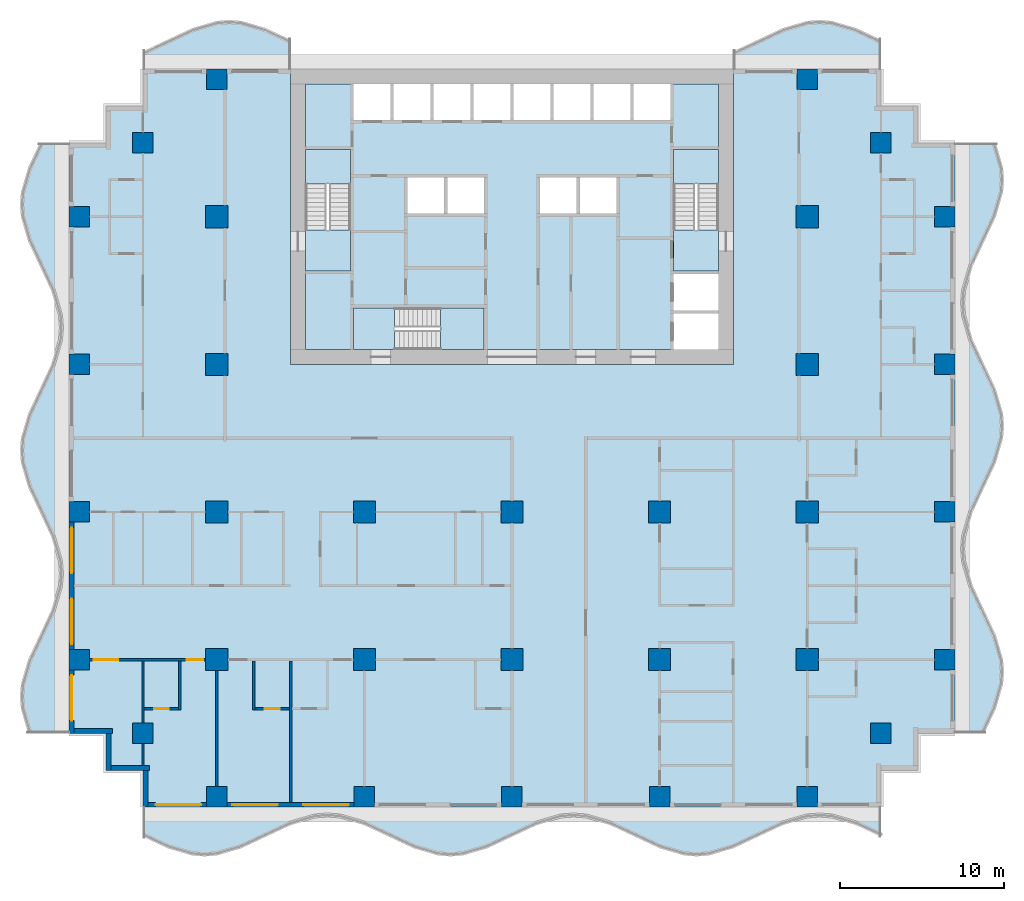
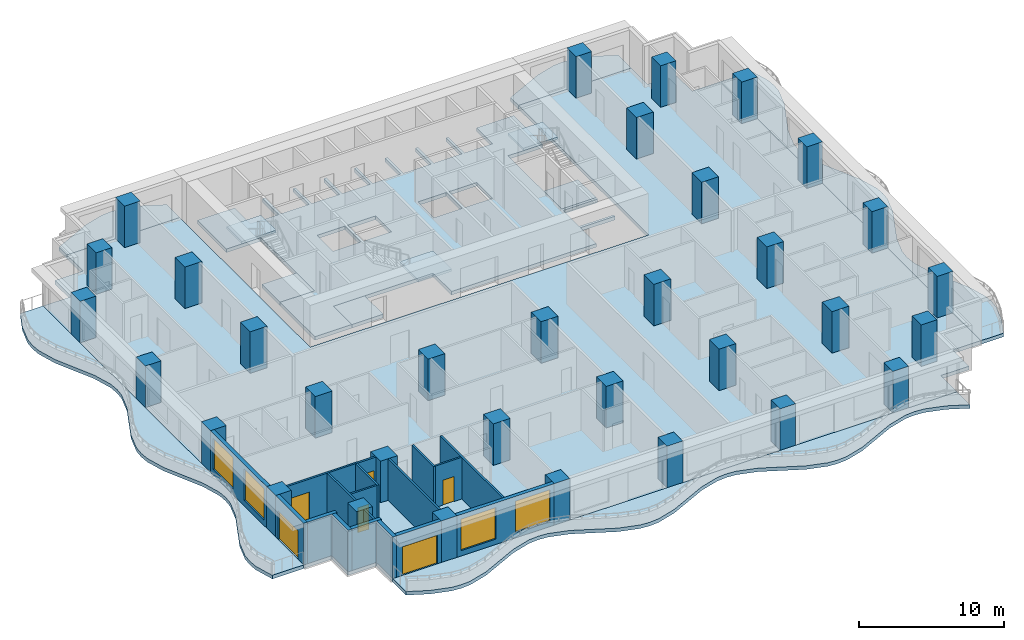
# One storey, part 1 of 14: 33 columns, 17 walls, 13 slabs, 6 doors, 4 windows, 10 openings, 3 elements without a shape of their own.
"""IFC4 building model written with IfcOpenShell, lengths in metres."""

from ifc_helpers import new_model, si_unit, direction, frame, frame_2d, origin, origin_2d, place, context, subcontext, project, spatial, polyline, rectangle, outline, extrude, material, layer, layer_set, material_profile, profile_set, type_object, element, fill, aggregate, save


model = new_model("IFC4")

# Units and contexts
model_context = context("Model", 3, precision=1e-05, world=origin(), true_north=direction((0.0, 1.0)))
body_context = subcontext(model_context, "Body", "Model", "MODEL_VIEW")
ifc_project = project(units=[si_unit("LENGTHUNIT", "METRE"), si_unit("AREAUNIT", "SQUARE_METRE"), si_unit("VOLUMEUNIT", "CUBIC_METRE"), si_unit("PLANEANGLEUNIT", "RADIAN"), si_unit("MASSUNIT", "GRAM", prefix="KILO")], contexts=[model_context])

# Site, building, storey
site_placement = place(None, origin())
site = spatial("IfcSite", under=ifc_project, at=site_placement, CompositionType="ELEMENT")
building_placement = place(site_placement, origin())
building = spatial("IfcBuilding", under=site, at=building_placement, Name="Orbiselva Terraces", CompositionType="ELEMENT")
storey_placement = place(building_placement, frame((0.0, 0.0, 107.4)))
storey = spatial("IfcBuildingStorey", under=building, at=storey_placement, Name="L27", CompositionType="ELEMENT", Elevation=107.4)

# Columns
ifc_material_1 = material(Name="Concrete C70/85", Category="concrete")
ifc_material_profile_1 = material_profile(ifc_material_1, rectangle(XDim=1.35, YDim=1.35, at=origin_2d()), Name="RC 1350x1350")
ifc_profile_set_1 = profile_set([ifc_material_profile_1], Name="Concrete C70/85")
column_type_1 = type_object("IfcColumnType", Name="COLUMN RC 1350x1350", PredefinedType="COLUMN", material=ifc_profile_set_1)
for number, where, z_axis, x_axis, name in (
    (1, (-18.0, -13.5, 0.0), (0.0, 0.0, 1.0), (1.0, 0.0, 0.0), "Column L27-01"),
    (2, (-18.0, -4.5, 0.0), (0.0, 0.0, 1.0), (1.0, 0.0, 0.0), "Column L27-03"),
    (3, (-18.0, 13.5, 0.0), (0.0, 0.0, 1.0), (1.0, 0.0, 0.0), "Column L27-04"),
    (4, (-18.0, 4.5, 0.0), (0.0, 0.0, 1.0), (1.0, 0.0, 0.0), "Column L27-06"),
    (5, (-9.0, -13.5, 0.0), (0.0, 0.0, 1.0), (1.0, 0.0, 0.0), "Column L27-13"),
    (6, (-9.0, -4.5, 0.0), (0.0, 0.0, 1.0), (1.0, 0.0, 0.0), "Column L27-15"),
    (7, (0.0, -13.5, 0.0), (0.0, 0.0, 1.0), (1.0, 0.0, 0.0), "Column L27-16"),
    (8, (0.0, -4.5, 0.0), (0.0, 0.0, 1.0), (1.0, 0.0, 0.0), "Column L27-18"),
    (9, (18.0, -13.5, 0.0), (0.0, 0.0, 1.0), (1.0, 0.0, 0.0), "Column L27-19"),
    (10, (18.0, -4.5, 0.0), (0.0, 0.0, 1.0), (1.0, 0.0, 0.0), "Column L27-21"),
    (11, (18.0, 13.5, 0.0), (0.0, 0.0, 1.0), (1.0, 0.0, 0.0), "Column L27-22"),
    (12, (18.0, 4.5, 0.0), (0.0, 0.0, 1.0), (1.0, 0.0, 0.0), "Column L27-24"),
    (13, (9.0, -13.5, 0.0), (0.0, 0.0, 1.0), (1.0, 0.0, 0.0), "Column L27-31"),
    (14, (9.0, -4.5, 0.0), (0.0, 0.0, 1.0), (1.0, 0.0, 0.0), "Column L27-33"),
):
    element("IfcColumn", number, at=place(storey_placement, frame(where, z_axis=z_axis, x_axis=x_axis)), inside=storey, type_object=column_type_1, Name=name, PredefinedType="COLUMN", context=body_context, shape_type="SweptSolid", body=[
        extrude(rectangle(XDim=1.35, YDim=1.35, at=origin_2d()), origin(), (0.0, 0.0, 1.0), 3.5),
    ])
ifc_material_2 = material(Name="Concrete C60/75", Category="concrete")
ifc_material_profile_2 = material_profile(ifc_material_2, rectangle(XDim=1.25, YDim=1.25, at=origin_2d()), Name="RC 1250x1250")
ifc_profile_set_2 = profile_set([ifc_material_profile_2], Name="Concrete C60/75")
column_type_2 = type_object("IfcColumnType", Name="PERIMETER COLUMN RC 1250x1250", PredefinedType="COLUMN", material=ifc_profile_set_2)
for number, where, z_axis, x_axis, name in (
    (15, (-18.0, -21.875, 0.0), (0.0, 0.0, 1.0), (1.0, 0.0, 0.0), "Column L27-02"),
    (16, (-18.0, 21.875, 0.0), (0.0, 0.0, 1.0), (1.0, 0.0, 0.0), "Column L27-05"),
    (17, (-26.375, -13.5, 0.0), (0.0, 0.0, 1.0), (1.0, 0.0, 0.0), "Column L27-07"),
    (18, (-22.5, -18.0, 0.0), (0.0, 0.0, 1.0), (1.0, 0.0, 0.0), "Column L27-08"),
    (19, (-26.375, -4.5, 0.0), (0.0, 0.0, 1.0), (1.0, 0.0, 0.0), "Column L27-09"),
    (20, (-26.375, 13.5, 0.0), (0.0, 0.0, 1.0), (1.0, 0.0, 0.0), "Column L27-10"),
    (21, (-22.5, 18.0, 0.0), (0.0, 0.0, 1.0), (1.0, 0.0, 0.0), "Column L27-11"),
    (22, (-26.375, 4.5, 0.0), (0.0, 0.0, 1.0), (1.0, 0.0, 0.0), "Column L27-12"),
    (23, (-9.0, -21.875, 0.0), (0.0, 0.0, 1.0), (1.0, 0.0, 0.0), "Column L27-14"),
    (24, (0.0, -21.875, 0.0), (0.0, 0.0, 1.0), (1.0, 0.0, 0.0), "Column L27-17"),
    (25, (18.0, -21.875, 0.0), (0.0, 0.0, 1.0), (1.0, 0.0, 0.0), "Column L27-20"),
    (26, (18.0, 21.875, 0.0), (0.0, 0.0, 1.0), (1.0, 0.0, 0.0), "Column L27-23"),
    (27, (26.375, -13.5, 0.0), (0.0, 0.0, 1.0), (1.0, 0.0, 0.0), "Column L27-25"),
    (28, (22.5, -18.0, 0.0), (0.0, 0.0, 1.0), (1.0, 0.0, 0.0), "Column L27-26"),
    (29, (26.375, -4.5, 0.0), (0.0, 0.0, 1.0), (1.0, 0.0, 0.0), "Column L27-27"),
    (30, (26.375, 13.5, 0.0), (0.0, 0.0, 1.0), (1.0, 0.0, 0.0), "Column L27-28"),
    (31, (22.5, 18.0, 0.0), (0.0, 0.0, 1.0), (1.0, 0.0, 0.0), "Column L27-29"),
    (32, (26.375, 4.5, 0.0), (0.0, 0.0, 1.0), (1.0, 0.0, 0.0), "Column L27-30"),
    (33, (9.0, -21.875, 0.0), (0.0, 0.0, 1.0), (1.0, 0.0, 0.0), "Column L27-32"),
):
    element("IfcColumn", number, at=place(storey_placement, frame(where, z_axis=z_axis, x_axis=x_axis)), inside=storey, type_object=column_type_2, Name=name, PredefinedType="COLUMN", context=body_context, shape_type="SweptSolid", body=[
        extrude(rectangle(XDim=1.25, YDim=1.25, at=origin_2d()), origin(), (0.0, 0.0, 1.0), 3.5),
    ])

# Slabs
ifc_material_3 = material(Name="Concrete C40/50", Category="concrete")
ifc_layer_1 = layer(ifc_material_3, 0.3)
ifc_layer_set_1 = layer_set([ifc_layer_1], Name="Concrete C40/50")
slab_type_1 = type_object("IfcSlabType", Name="CORE-SLAB-FLOOR-300", PredefinedType="FLOOR", material=ifc_layer_set_1)
slab_1_placement = place(storey_placement, frame((0.0, 0.0, -0.3)))
element("IfcSlab", 34, at=slab_1_placement, inside=storey, type_object=slab_type_1, Name="L27 S1 floor landing", PredefinedType="FLOOR", context=body_context, shape_type="SweptSolid", body=[
    extrude(outline(polyline([(-12.6, 12.7), (-9.85, 12.7), (-9.85, 10.2), (-12.6, 10.2), (-12.6, 12.7)])), origin(), (0.0, 0.0, 1.0), 0.3),
])
slab_2_placement = place(storey_placement, frame((0.0, 0.0, -0.3)))
element("IfcSlab", 35, at=slab_2_placement, inside=storey, type_object=slab_type_1, Name="L27 S2 floor landing", PredefinedType="FLOOR", context=body_context, shape_type="SweptSolid", body=[
    extrude(outline(polyline([(12.6, 12.7), (12.6, 10.2), (9.85, 10.2), (9.85, 12.7), (12.6, 12.7)])), origin(), (0.0, 0.0, 1.0), 0.3),
])
slab_3_placement = place(storey_placement, frame((0.0, 0.0, -0.3)))
element("IfcSlab", 36, at=slab_3_placement, inside=storey, type_object=slab_type_1, Name="L27 S3 floor landing", PredefinedType="FLOOR", context=body_context, shape_type="SweptSolid", body=[
    extrude(outline(polyline([(-7.15, 5.4), (-9.65, 5.4), (-9.65, 7.95), (-7.15, 7.95), (-7.15, 5.4)])), origin(), (0.0, 0.0, 1.0), 0.3),
])
slab_4_placement = place(storey_placement, frame((0.0, 0.0, -0.3)))
element("IfcSlab", 37, at=slab_4_placement, inside=storey, type_object=slab_type_1, Name="L27 core floor slab 1", PredefinedType="FLOOR", context=body_context, shape_type="SweptSolid", body=[
    extrude(outline(polyline([(-1.7, 5.4), (-1.7, 7.95), (-9.65, 7.95), (-9.65, 5.4), (-12.6, 5.4), (-12.6, 10.2), (-9.85, 10.2), (-9.85, 17.6), (-12.6, 17.6), (-12.6, 21.6), (-9.65, 21.6), (-9.65, 19.4), (-7.4125, 19.4), (-7.4125, 21.6), (-7.2125, 21.6), (-7.2125, 19.4), (-4.975, 19.4), (-4.975, 21.6), (-4.775, 21.6), (-4.775, 19.4), (-2.5375, 19.4), (-2.5375, 21.6), (-2.3375, 21.6), (-2.3375, 19.4), (-0.1, 19.4), (-0.1, 21.6), (0.1, 21.6), (0.1, 19.4), (2.3375, 19.4), (2.3375, 21.6), (2.5375, 21.6), (2.5375, 19.4), (4.775, 19.4), (4.775, 21.6), (4.975, 21.6), (4.975, 19.4), (7.2125, 19.4), (7.2125, 21.6), (7.4125, 21.6), (7.4125, 19.4), (9.65, 19.4), (9.65, 21.6), (12.6, 21.6), (12.6, 17.6), (9.85, 17.6), (9.85, 10.2), (12.6, 10.2), (12.6, 10.0), (9.85, 10.0), (9.85, 7.8), (12.6, 7.8), (12.6, 7.6), (9.85, 7.6), (9.85, 5.4), (-1.7, 5.4)]), holes=[polyline([(-4.1375, 13.7), (-4.1375, 15.9), (-6.375, 15.9), (-6.375, 13.7), (-4.1375, 13.7)]), polyline([(-1.7, 13.7), (-1.7, 15.9), (-3.9375, 15.9), (-3.9375, 13.7), (-1.7, 13.7)]), polyline([(3.9375, 13.7), (3.9375, 15.9), (1.7, 15.9), (1.7, 13.7), (3.9375, 13.7)]), polyline([(6.375, 13.7), (6.375, 15.9), (4.1375, 15.9), (4.1375, 13.7), (6.375, 13.7)])]), origin(), (0.0, 0.0, 1.0), 0.3),
])

# Stair, slab
stair_type_1 = type_object("IfcStairType", Name="CORE-STAIR-1300", PredefinedType="HALF_TURN_STAIR", material=ifc_material_3)
stair_1_placement = place(storey_placement, origin())
stair_1 = element("IfcStair", 38, at=stair_1_placement, inside=storey, type_object=stair_type_1, Name="L27 Exit Stair S1", PredefinedType="HALF_TURN_STAIR")
ifc_layer_2 = layer(ifc_material_3, 0.2)
ifc_layer_set_2 = layer_set([ifc_layer_2], Name="Concrete C40/50")
slab_type_2 = type_object("IfcSlabType", Name="CORE-STAIR-LANDING-200", PredefinedType="LANDING", material=ifc_layer_set_2)
slab_5_placement = place(storey_placement, frame((0.0, 0.0, 1.7)))
slab_5 = element("IfcSlab", 39, at=slab_5_placement, type_object=slab_type_2, Name="S1 landing 1", PredefinedType="LANDING", context=body_context, shape_type="SweptSolid", body=[
    extrude(outline(polyline([(-9.85, 15.5), (-9.85, 17.6), (-12.6, 17.6), (-12.6, 15.5), (-9.85, 15.5)])), origin(), (0.0, 0.0, 1.0), 0.2),
])
aggregate(stair_1, [slab_5])

stair_2_placement = place(storey_placement, origin())
stair_2 = element("IfcStair", 40, at=stair_2_placement, inside=storey, type_object=stair_type_1, Name="L27 Exit Stair S2", PredefinedType="HALF_TURN_STAIR")
slab_6_placement = place(storey_placement, frame((0.0, 0.0, 1.7)))
slab_6 = element("IfcSlab", 41, at=slab_6_placement, type_object=slab_type_2, Name="S2 landing 1", PredefinedType="LANDING", context=body_context, shape_type="SweptSolid", body=[
    extrude(outline(polyline([(12.6, 15.5), (12.6, 17.6), (9.85, 17.6), (9.85, 15.5), (12.6, 15.5)])), origin(), (0.0, 0.0, 1.0), 0.2),
])
aggregate(stair_2, [slab_6])

stair_type_2 = type_object("IfcStairType", Name="CORE-STAIR-1200", PredefinedType="HALF_TURN_STAIR", material=ifc_material_3)
stair_3_placement = place(storey_placement, origin())
stair_3 = element("IfcStair", 42, at=stair_3_placement, inside=storey, type_object=stair_type_2, Name="L27 Exit Stair S3", PredefinedType="HALF_TURN_STAIR")
slab_7_placement = place(storey_placement, frame((0.0, 0.0, 1.7)))
slab_7 = element("IfcSlab", 43, at=slab_7_placement, type_object=slab_type_2, Name="S3 landing 1", PredefinedType="LANDING", context=body_context, shape_type="SweptSolid", body=[
    extrude(outline(polyline([(-4.35, 5.4), (-1.7, 5.4), (-1.7, 7.95), (-4.35, 7.95), (-4.35, 5.4)])), origin(), (0.0, 0.0, 1.0), 0.2),
])
aggregate(stair_3, [slab_7])

# Slabs
ifc_material_4 = material(Name="Concrete C50/60", Category="concrete")
ifc_layer_3 = layer(ifc_material_4, 0.3)
ifc_layer_set_3 = layer_set([ifc_layer_3], Name="Concrete C50/60")
slab_type_3 = type_object("IfcSlabType", Name="ENV-BALCONY-SLAB-300", PredefinedType="FLOOR", material=ifc_layer_set_3)
slab_8_placement = place(storey_placement, frame((0.0, 0.0, -0.3)))
element("IfcSlab", 44, at=slab_8_placement, inside=storey, type_object=slab_type_3, Name="Balcony slab L27 S", PredefinedType="FLOOR", context=body_context, shape_type="SweptSolid", body=[
    extrude(outline(polyline([(-22.5, -24.3), (-21.0, -25.005342), (-19.5, -25.441268), (-18.75, -25.5), (-18.0, -25.441268), (-16.5, -25.005342), (-13.5, -23.594658), (-12.0, -23.158732), (-11.25, -23.1), (-10.5, -23.158732), (-9.0, -23.594658), (-6.0, -25.005342), (-4.5, -25.441268), (-3.75, -25.5), (-3.0, -25.441268), (-1.5, -25.005342), (1.5, -23.594658), (3.0, -23.158732), (3.75, -23.1), (4.5, -23.158732), (6.0, -23.594658), (9.0, -25.005342), (10.5, -25.441268), (11.25, -25.5), (12.0, -25.441268), (13.5, -25.005342), (16.5, -23.594658), (18.0, -23.158732), (18.75, -23.1), (19.5, -23.158732), (21.0, -23.594658), (22.5, -24.3), (22.5, -22.5), (-22.5, -22.5), (-22.5, -24.3)])), origin(), (0.0, 0.0, 1.0), 0.3),
])
slab_9_placement = place(storey_placement, frame((0.0, 0.0, -0.3)))
element("IfcSlab", 45, at=slab_9_placement, inside=storey, type_object=slab_type_3, Name="Balcony slab L27 E", PredefinedType="FLOOR", context=body_context, shape_type="SweptSolid", body=[
    extrude(outline(polyline([(28.8, -18.0), (29.505342, -16.5), (29.941268, -15.0), (30.0, -14.25), (29.941268, -13.5), (29.505342, -12.0), (28.094658, -9.0), (27.658732, -7.5), (27.6, -6.75), (27.658732, -6.0), (28.094658, -4.5), (29.505342, -1.5), (29.941268, 0.0), (30.0, 0.75), (29.941268, 1.5), (29.505342, 3.0), (28.094658, 6.0), (27.658732, 7.5), (27.6, 8.25), (27.658732, 9.0), (28.094658, 10.5), (29.505342, 13.5), (29.941268, 15.0), (30.0, 15.75), (29.941268, 16.5), (29.505342, 18.0), (27.0, 18.0), (27.0, -18.0), (28.8, -18.0)])), origin(), (0.0, 0.0, 1.0), 0.3),
])
slab_10_placement = place(storey_placement, frame((0.0, 0.0, -0.3)))
element("IfcSlab", 46, at=slab_10_placement, inside=storey, type_object=slab_type_3, Name="Balcony slab L27 NE", PredefinedType="FLOOR", context=body_context, shape_type="SweptSolid", body=[
    extrude(outline(polyline([(22.5, 24.3), (21.0, 25.005342), (19.5, 25.441268), (18.75, 25.5), (18.0, 25.441268), (16.5, 25.005342), (13.5, 23.594658), (13.5, 22.5), (22.5, 22.5), (22.5, 24.3)])), origin(), (0.0, 0.0, 1.0), 0.3),
])
slab_11_placement = place(storey_placement, frame((0.0, 0.0, -0.3)))
element("IfcSlab", 47, at=slab_11_placement, inside=storey, type_object=slab_type_3, Name="Balcony slab L27 NW", PredefinedType="FLOOR", context=body_context, shape_type="SweptSolid", body=[
    extrude(outline(polyline([(-13.5, 24.3), (-15.0, 25.005342), (-16.5, 25.441268), (-17.25, 25.5), (-18.0, 25.441268), (-19.5, 25.005342), (-22.5, 23.594658), (-22.5, 22.5), (-13.5, 22.5), (-13.5, 24.3)])), origin(), (0.0, 0.0, 1.0), 0.3),
])
slab_12_placement = place(storey_placement, frame((0.0, 0.0, -0.3)))
element("IfcSlab", 48, at=slab_12_placement, inside=storey, type_object=slab_type_3, Name="Balcony slab L27 W", PredefinedType="FLOOR", context=body_context, shape_type="SweptSolid", body=[
    extrude(outline(polyline([(-28.8, 18.0), (-29.505342, 16.5), (-29.941268, 15.0), (-30.0, 14.25), (-29.941268, 13.5), (-29.505342, 12.0), (-28.094658, 9.0), (-27.658732, 7.5), (-27.6, 6.75), (-27.658732, 6.0), (-28.094658, 4.5), (-29.505342, 1.5), (-29.941268, 0.0), (-30.0, -0.75), (-29.941268, -1.5), (-29.505342, -3.0), (-28.094658, -6.0), (-27.658732, -7.5), (-27.6, -8.25), (-27.658732, -9.0), (-28.094658, -10.5), (-29.505342, -13.5), (-29.941268, -15.0), (-30.0, -15.75), (-29.941268, -16.5), (-29.505342, -18.0), (-27.0, -18.0), (-27.0, 18.0), (-28.8, 18.0)])), origin(), (0.0, 0.0, 1.0), 0.3),
])
ifc_layer_4 = layer(ifc_material_4, 0.3)
ifc_layer_set_4 = layer_set([ifc_layer_4], Name="Concrete C50/60")
slab_type_4 = type_object("IfcSlabType", Name="FLOOR SLAB 300", PredefinedType="FLOOR", material=ifc_layer_set_4)
slab_13_placement = place(storey_placement, frame((0.0, 0.0, -0.3)))
element("IfcSlab", 49, at=slab_13_placement, inside=storey, type_object=slab_type_4, Name="Floor slab L27", PredefinedType="FLOOR", context=body_context, shape_type="SweptSolid", body=[
    extrude(outline(polyline([(22.5, 22.5), (22.5, 20.25), (24.75, 20.25), (24.75, 18.0), (27.0, 18.0), (27.0, -18.0), (24.75, -18.0), (24.75, -20.25), (22.5, -20.25), (22.5, -22.5), (-22.5, -22.5), (-22.5, -20.25), (-24.75, -20.25), (-24.75, -18.0), (-27.0, -18.0), (-27.0, 18.0), (-24.75, 18.0), (-24.75, 20.25), (-22.5, 20.25), (-22.5, 22.5), (-13.5, 22.5), (-13.5, 4.5), (13.5, 4.5), (13.5, 22.5), (22.5, 22.5)])), origin(), (0.0, 0.0, 1.0), 0.3),
])

# Wall, opening, door
ifc_material_5 = material(Name="Terracotta cladding on masonry backing", Category="masonry")
ifc_layer_5 = layer(ifc_material_5, 0.3)
ifc_layer_set_5 = layer_set([ifc_layer_5], Name="Terracotta cladding on masonry backing")
wall_type_1 = type_object("IfcWallType", Name="ENV-WALL-TERRACOTTA-300", PredefinedType="SOLIDWALL", material=ifc_layer_set_5)
wall_1_placement = place(storey_placement, frame((-18.625, -22.35, 0.0), z_axis=(0.0, 0.0, 1.0), x_axis=(-1.0, 0.0, 0.0)))
wall_1 = element("IfcWall", 50, at=wall_1_placement, inside=storey, type_object=wall_type_1, Name="Facade wall L27 S", PredefinedType="SOLIDWALL", context=body_context, shape_type="SweptSolid", body=[
    extrude(rectangle(XDim=3.575, YDim=0.3, at=frame_2d((1.7875, 0.0))), origin(), (0.0, 0.0, 1.0), 3.5),
])
opening_1_placement = place(wall_1_placement, frame((0.325, 0.0, 0.0)))
opening_1 = element("IfcOpeningElement", 51, at=opening_1_placement, cuts=wall_1, Name="Opening Z2-D-E13", PredefinedType="OPENING", context=body_context, shape_type="SweptSolid", body=[
    extrude(rectangle(XDim=2.775, YDim=2.4, at=frame_2d((1.3875, 1.2))), frame((0.0, 0.16, 0.0), z_axis=(0.0, -1.0, 0.0), x_axis=(1.0, 0.0, 0.0)), (0.0, 0.0, 1.0), 0.32),
])
ifc_material_6 = material(Name="Clear low-e glazing in aluminium frame", Category="aluminium")
door_type_1 = type_object("IfcDoorType", Name="BALCONY DOOR 2775 X 2400", OperationType="DOUBLE_DOOR_SLIDING", PredefinedType="DOOR", material=ifc_material_6)
door_1_placement = place(opening_1_placement, origin())
door_1 = element("IfcDoor", 52, at=door_1_placement, inside=storey, type_object=door_type_1, Name="Z2-D-E13", OperationType="SINGLE_SWING_LEFT", OverallHeight=2.4, OverallWidth=2.775, PredefinedType="DOOR", context=body_context, shape_type="SweptSolid", body=[
    extrude(rectangle(XDim=2.775, YDim=2.4, at=frame_2d((1.3875, 1.2))), frame((0.0, 0.025, 0.0), z_axis=(0.0, -1.0, 0.0), x_axis=(1.0, 0.0, 0.0)), (0.0, 0.0, 1.0), 0.05),
])
fill(opening_1, door_1)

# Wall, openings, windows
wall_2_placement = place(storey_placement, frame((-9.625, -22.35, 0.0), z_axis=(0.0, 0.0, 1.0), x_axis=(-1.0, 0.0, 0.0)))
wall_2 = element("IfcWall", 53, at=wall_2_placement, inside=storey, type_object=wall_type_1, Name="Facade wall L27 S", PredefinedType="SOLIDWALL", context=body_context, shape_type="SweptSolid", body=[
    extrude(rectangle(XDim=7.75, YDim=0.3, at=frame_2d((3.875, 0.0))), origin(), (0.0, 0.0, 1.0), 3.5),
])
opening_2_placement = place(wall_2_placement, frame((4.65, 0.0, 0.45)))
opening_2 = element("IfcOpeningElement", 54, at=opening_2_placement, cuts=wall_2, Name="Opening WN6", PredefinedType="OPENING", context=body_context, shape_type="SweptSolid", body=[
    extrude(rectangle(XDim=2.775, YDim=2.65, at=frame_2d((1.3875, 1.325))), frame((0.0, 0.16, 0.0), z_axis=(0.0, -1.0, 0.0), x_axis=(1.0, 0.0, 0.0)), (0.0, 0.0, 1.0), 0.32),
])
opening_3_placement = place(wall_2_placement, frame((0.325, 0.0, 0.45)))
opening_3 = element("IfcOpeningElement", 55, at=opening_3_placement, cuts=wall_2, Name="Opening WN6", PredefinedType="OPENING", context=body_context, shape_type="SweptSolid", body=[
    extrude(rectangle(XDim=2.775, YDim=2.65, at=frame_2d((1.3875, 1.325))), frame((0.0, 0.16, 0.0), z_axis=(0.0, -1.0, 0.0), x_axis=(1.0, 0.0, 0.0)), (0.0, 0.0, 1.0), 0.32),
])
window_type = type_object("IfcWindowType", Name="WINDOW 2775 X 2650 S450", PartitioningType="TRIPLE_PANEL_VERTICAL", PredefinedType="WINDOW", material=ifc_material_6)
window_1_placement = place(opening_2_placement, origin())
window_1 = element("IfcWindow", 56, at=window_1_placement, inside=storey, type_object=window_type, Name="Window L27 S", OverallHeight=2.65, OverallWidth=2.775, PartitioningType="SINGLE_PANEL", PredefinedType="WINDOW", context=body_context, shape_type="SweptSolid", body=[
    extrude(rectangle(XDim=2.775, YDim=2.65, at=frame_2d((1.3875, 1.325))), frame((0.0, 0.03, 0.0), z_axis=(0.0, -1.0, 0.0), x_axis=(1.0, 0.0, 0.0)), (0.0, 0.0, 1.0), 0.06),
])
fill(opening_2, window_1)
window_2_placement = place(opening_3_placement, origin())
window_2 = element("IfcWindow", 57, at=window_2_placement, inside=storey, type_object=window_type, Name="Window L27 S", OverallHeight=2.65, OverallWidth=2.775, PartitioningType="SINGLE_PANEL", PredefinedType="WINDOW", context=body_context, shape_type="SweptSolid", body=[
    extrude(rectangle(XDim=2.775, YDim=2.65, at=frame_2d((1.3875, 1.325))), frame((0.0, 0.03, 0.0), z_axis=(0.0, -1.0, 0.0), x_axis=(1.0, 0.0, 0.0)), (0.0, 0.0, 1.0), 0.06),
])
fill(opening_3, window_2)

wall_3_placement = place(storey_placement, frame((-26.85, -12.875, 0.0), z_axis=(0.0, 0.0, 1.0), x_axis=(0.0, 1.0, 0.0)))
wall_3 = element("IfcWall", 58, at=wall_3_placement, inside=storey, type_object=wall_type_1, Name="Facade wall L27 W", PredefinedType="SOLIDWALL", context=body_context, shape_type="SweptSolid", body=[
    extrude(rectangle(XDim=7.75, YDim=0.3, at=frame_2d((3.875, 0.0))), origin(), (0.0, 0.0, 1.0), 3.5),
])
opening_4_placement = place(wall_3_placement, frame((4.65, 0.0, 0.45)))
opening_4 = element("IfcOpeningElement", 59, at=opening_4_placement, cuts=wall_3, Name="Opening WN6", PredefinedType="OPENING", context=body_context, shape_type="SweptSolid", body=[
    extrude(rectangle(XDim=2.775, YDim=2.65, at=frame_2d((1.3875, 1.325))), frame((0.0, 0.16, 0.0), z_axis=(0.0, -1.0, 0.0), x_axis=(1.0, 0.0, 0.0)), (0.0, 0.0, 1.0), 0.32),
])
opening_5_placement = place(wall_3_placement, frame((0.325, 0.0, 0.45)))
opening_5 = element("IfcOpeningElement", 60, at=opening_5_placement, cuts=wall_3, Name="Opening WN6", PredefinedType="OPENING", context=body_context, shape_type="SweptSolid", body=[
    extrude(rectangle(XDim=2.775, YDim=2.65, at=frame_2d((1.3875, 1.325))), frame((0.0, 0.16, 0.0), z_axis=(0.0, -1.0, 0.0), x_axis=(1.0, 0.0, 0.0)), (0.0, 0.0, 1.0), 0.32),
])
window_3_placement = place(opening_4_placement, origin())
window_3 = element("IfcWindow", 61, at=window_3_placement, inside=storey, type_object=window_type, Name="Window L27 W", OverallHeight=2.65, OverallWidth=2.775, PartitioningType="SINGLE_PANEL", PredefinedType="WINDOW", context=body_context, shape_type="SweptSolid", body=[
    extrude(rectangle(XDim=2.775, YDim=2.65, at=frame_2d((1.3875, 1.325))), frame((0.0, 0.03, 0.0), z_axis=(0.0, -1.0, 0.0), x_axis=(1.0, 0.0, 0.0)), (0.0, 0.0, 1.0), 0.06),
])
fill(opening_4, window_3)
window_4_placement = place(opening_5_placement, origin())
window_4 = element("IfcWindow", 62, at=window_4_placement, inside=storey, type_object=window_type, Name="Window L27 W", OverallHeight=2.65, OverallWidth=2.775, PartitioningType="SINGLE_PANEL", PredefinedType="WINDOW", context=body_context, shape_type="SweptSolid", body=[
    extrude(rectangle(XDim=2.775, YDim=2.65, at=frame_2d((1.3875, 1.325))), frame((0.0, 0.03, 0.0), z_axis=(0.0, -1.0, 0.0), x_axis=(1.0, 0.0, 0.0)), (0.0, 0.0, 1.0), 0.06),
])
fill(opening_5, window_4)

# Wall, opening, door
wall_4_placement = place(storey_placement, frame((-26.85, -18.0, 0.0), z_axis=(0.0, 0.0, 1.0), x_axis=(0.0, 1.0, 0.0)))
wall_4 = element("IfcWall", 63, at=wall_4_placement, inside=storey, type_object=wall_type_1, Name="Facade wall L27 W", PredefinedType="SOLIDWALL", context=body_context, shape_type="SweptSolid", body=[
    extrude(rectangle(XDim=3.875, YDim=0.3, at=frame_2d((1.9375, 0.0))), origin(), (0.0, 0.0, 1.0), 3.5),
])
opening_6_placement = place(wall_4_placement, frame((0.775, 0.0, 0.0)))
opening_6 = element("IfcOpeningElement", 64, at=opening_6_placement, cuts=wall_4, Name="Opening Z2-D-E12", PredefinedType="OPENING", context=body_context, shape_type="SweptSolid", body=[
    extrude(rectangle(XDim=2.775, YDim=2.4, at=frame_2d((1.3875, 1.2))), frame((0.0, 0.16, 0.0), z_axis=(0.0, -1.0, 0.0), x_axis=(1.0, 0.0, 0.0)), (0.0, 0.0, 1.0), 0.32),
])
door_2_placement = place(opening_6_placement, origin())
door_2 = element("IfcDoor", 65, at=door_2_placement, inside=storey, type_object=door_type_1, Name="Z2-D-E12", OperationType="SINGLE_SWING_LEFT", OverallHeight=2.4, OverallWidth=2.775, PredefinedType="DOOR", context=body_context, shape_type="SweptSolid", body=[
    extrude(rectangle(XDim=2.775, YDim=2.4, at=frame_2d((1.3875, 1.2))), frame((0.0, 0.025, 0.0), z_axis=(0.0, -1.0, 0.0), x_axis=(1.0, 0.0, 0.0)), (0.0, 0.0, 1.0), 0.05),
])
fill(opening_6, door_2)

# Walls
wall_5_placement = place(storey_placement, frame((-24.35, -17.85, 0.0), z_axis=(0.0, 0.0, 1.0), x_axis=(-1.0, 0.0, 0.0)))
element("IfcWall", 66, at=wall_5_placement, inside=storey, type_object=wall_type_1, Name="Facade wall L27 STEP", PredefinedType="SOLIDWALL", context=body_context, shape_type="SweptSolid", body=[
    extrude(rectangle(XDim=2.35, YDim=0.3, at=frame_2d((1.175, 0.0))), origin(), (0.0, 0.0, 1.0), 3.5),
])
wall_6_placement = place(storey_placement, frame((-24.6, -20.25, 0.0), z_axis=(0.0, 0.0, 1.0), x_axis=(0.0, 1.0, 0.0)))
element("IfcWall", 67, at=wall_6_placement, inside=storey, type_object=wall_type_1, Name="Facade wall L27 STEP", PredefinedType="SOLIDWALL", context=body_context, shape_type="SweptSolid", body=[
    extrude(rectangle(XDim=2.25, YDim=0.3, at=frame_2d((1.125, 0.0))), origin(), (0.0, 0.0, 1.0), 3.5),
])
wall_7_placement = place(storey_placement, frame((-22.1, -20.1, 0.0), z_axis=(0.0, 0.0, 1.0), x_axis=(-1.0, 0.0, 0.0)))
element("IfcWall", 68, at=wall_7_placement, inside=storey, type_object=wall_type_1, Name="Facade wall L27 STEP", PredefinedType="SOLIDWALL", context=body_context, shape_type="SweptSolid", body=[
    extrude(rectangle(XDim=2.35, YDim=0.3, at=frame_2d((1.175, 0.0))), origin(), (0.0, 0.0, 1.0), 3.5),
])
wall_8_placement = place(storey_placement, frame((-22.35, -22.5, 0.0), z_axis=(0.0, 0.0, 1.0), x_axis=(0.0, 1.0, 0.0)))
element("IfcWall", 69, at=wall_8_placement, inside=storey, type_object=wall_type_1, Name="Facade wall L27 STEP", PredefinedType="SOLIDWALL", context=body_context, shape_type="SweptSolid", body=[
    extrude(rectangle(XDim=2.25, YDim=0.3, at=frame_2d((1.125, 0.0))), origin(), (0.0, 0.0, 1.0), 3.5),
])

# Wall, opening, door
ifc_material_7 = material(Name="Plasterboard on steel stud partition", Category="steel")
ifc_layer_6 = layer(ifc_material_7, 0.15)
ifc_layer_set_6 = layer_set([ifc_layer_6], Name="Plasterboard on steel stud partition")
wall_type_2 = type_object("IfcWallType", Name="UNIT-PARTITION-150", PredefinedType="PARTITIONING", material=ifc_layer_set_6)
wall_9_placement = place(storey_placement, frame((-22.425, -16.5, 0.0), z_axis=(0.0, 0.0, 1.0), x_axis=(1.0, 0.0, 0.0)))
wall_9 = element("IfcWall", 70, at=wall_9_placement, inside=storey, type_object=wall_type_2, Name="PARTITION L27-003", PredefinedType="PARTITIONING", context=body_context, shape_type="SweptSolid", body=[
    extrude(rectangle(XDim=2.1, YDim=0.15, at=frame_2d((1.05, 0.0))), origin(), (0.0, 0.0, 1.0), 3.5),
])
opening_7_placement = place(wall_9_placement, frame((0.6, 0.0, 0.0)))
opening_7 = element("IfcOpeningElement", 71, at=opening_7_placement, cuts=wall_9, Name="Opening Z2-D-32", PredefinedType="OPENING", context=body_context, shape_type="SweptSolid", body=[
    extrude(rectangle(XDim=0.9, YDim=2.1, at=frame_2d((0.45, 1.05))), frame((0.0, 0.085, 0.0), z_axis=(0.0, -1.0, 0.0), x_axis=(1.0, 0.0, 0.0)), (0.0, 0.0, 1.0), 0.17),
])
ifc_material_8 = material(Name="Painted timber door leaf", Category="wood")
door_type_2 = type_object("IfcDoorType", Name="BATH DOOR 900", OperationType="NOTDEFINED", PredefinedType="DOOR", material=ifc_material_8)
door_3_placement = place(opening_7_placement, origin())
door_3 = element("IfcDoor", 72, at=door_3_placement, inside=storey, type_object=door_type_2, Name="Z2-D-32", OperationType="SINGLE_SWING_LEFT", OverallHeight=2.1, OverallWidth=0.9, PredefinedType="DOOR", context=body_context, shape_type="SweptSolid", body=[
    extrude(rectangle(XDim=0.9, YDim=2.1, at=frame_2d((0.45, 1.05))), frame((0.0, 0.025, 0.0), z_axis=(0.0, -1.0, 0.0), x_axis=(1.0, 0.0, 0.0)), (0.0, 0.0, 1.0), 0.05),
])
fill(opening_7, door_3)

wall_10_placement = place(storey_placement, frame((-15.675, -16.5, 0.0), z_axis=(0.0, 0.0, 1.0), x_axis=(1.0, 0.0, 0.0)))
wall_10 = element("IfcWall", 73, at=wall_10_placement, inside=storey, type_object=wall_type_2, Name="PARTITION L27-004", PredefinedType="PARTITIONING", context=body_context, shape_type="SweptSolid", body=[
    extrude(rectangle(XDim=2.1, YDim=0.15, at=frame_2d((1.05, 0.0))), origin(), (0.0, 0.0, 1.0), 3.5),
])
opening_8_placement = place(wall_10_placement, frame((0.6, 0.0, 0.0)))
opening_8 = element("IfcOpeningElement", 74, at=opening_8_placement, cuts=wall_10, Name="Opening Z2-D-30", PredefinedType="OPENING", context=body_context, shape_type="SweptSolid", body=[
    extrude(rectangle(XDim=0.9, YDim=2.1, at=frame_2d((0.45, 1.05))), frame((0.0, 0.085, 0.0), z_axis=(0.0, -1.0, 0.0), x_axis=(1.0, 0.0, 0.0)), (0.0, 0.0, 1.0), 0.17),
])
door_4_placement = place(opening_8_placement, origin())
door_4 = element("IfcDoor", 75, at=door_4_placement, inside=storey, type_object=door_type_2, Name="Z2-D-30", OperationType="SINGLE_SWING_LEFT", OverallHeight=2.1, OverallWidth=0.9, PredefinedType="DOOR", context=body_context, shape_type="SweptSolid", body=[
    extrude(rectangle(XDim=0.9, YDim=2.1, at=frame_2d((0.45, 1.05))), frame((0.0, 0.025, 0.0), z_axis=(0.0, -1.0, 0.0), x_axis=(1.0, 0.0, 0.0)), (0.0, 0.0, 1.0), 0.05),
])
fill(opening_8, door_4)

# Wall, openings, doors
wall_11_placement = place(storey_placement, frame((-18.675, -13.5, 0.0), z_axis=(0.0, 0.0, 1.0), x_axis=(-1.0, 0.0, 0.0)))
wall_11 = element("IfcWall", 76, at=wall_11_placement, inside=storey, type_object=wall_type_2, Name="PARTITION L27-009", PredefinedType="PARTITIONING", context=body_context, shape_type="SweptSolid", body=[
    extrude(rectangle(XDim=7.075, YDim=0.15, at=frame_2d((3.5375, 0.0))), origin(), (0.0, 0.0, 1.0), 3.5),
])
opening_9_placement = place(wall_11_placement, frame((0.15, 0.0, 0.0)))
opening_9 = element("IfcOpeningElement", 77, at=opening_9_placement, cuts=wall_11, Name="Opening Z2-D-31", PredefinedType="OPENING", context=body_context, shape_type="SweptSolid", body=[
    extrude(rectangle(XDim=1.0, YDim=2.4, at=frame_2d((0.5, 1.2))), frame((0.0, 0.085, 0.0), z_axis=(0.0, -1.0, 0.0), x_axis=(1.0, 0.0, 0.0)), (0.0, 0.0, 1.0), 0.17),
])
opening_10_placement = place(wall_11_placement, frame((5.325, 0.0, 0.0)))
opening_10 = element("IfcOpeningElement", 78, at=opening_10_placement, cuts=wall_11, Name="Opening Z2-D-33", PredefinedType="OPENING", context=body_context, shape_type="SweptSolid", body=[
    extrude(rectangle(XDim=1.5, YDim=2.4, at=frame_2d((0.75, 1.2))), frame((0.0, 0.085, 0.0), z_axis=(0.0, -1.0, 0.0), x_axis=(1.0, 0.0, 0.0)), (0.0, 0.0, 1.0), 0.17),
])
door_type_3 = type_object("IfcDoorType", Name="DOUBLE DOOR 1500", OperationType="NOTDEFINED", PredefinedType="DOOR", material=ifc_material_8)
door_5_placement = place(opening_10_placement, origin())
door_5 = element("IfcDoor", 79, at=door_5_placement, inside=storey, type_object=door_type_3, Name="Z2-D-33", OperationType="DOUBLE_DOOR_SINGLE_SWING", OverallHeight=2.4, OverallWidth=1.5, PredefinedType="DOOR", context=body_context, shape_type="SweptSolid", body=[
    extrude(rectangle(XDim=1.5, YDim=2.4, at=frame_2d((0.75, 1.2))), frame((0.0, 0.025, 0.0), z_axis=(0.0, -1.0, 0.0), x_axis=(1.0, 0.0, 0.0)), (0.0, 0.0, 1.0), 0.05),
])
fill(opening_10, door_5)
door_type_4 = type_object("IfcDoorType", Name="ROOM DOOR 1000", OperationType="NOTDEFINED", PredefinedType="DOOR", material=ifc_material_8)
door_6_placement = place(opening_9_placement, origin())
door_6 = element("IfcDoor", 80, at=door_6_placement, inside=storey, type_object=door_type_4, Name="Z2-D-31", OperationType="SINGLE_SWING_LEFT", OverallHeight=2.4, OverallWidth=1.0, PredefinedType="DOOR", context=body_context, shape_type="SweptSolid", body=[
    extrude(rectangle(XDim=1.0, YDim=2.4, at=frame_2d((0.5, 1.2))), frame((0.0, 0.025, 0.0), z_axis=(0.0, -1.0, 0.0), x_axis=(1.0, 0.0, 0.0)), (0.0, 0.0, 1.0), 0.05),
])
fill(opening_9, door_6)

# Walls
wall_12_placement = place(storey_placement, frame((-22.5, -19.95, 0.0), z_axis=(0.0, 0.0, 1.0), x_axis=(0.0, 1.0, 0.0)))
element("IfcWall", 81, at=wall_12_placement, inside=storey, type_object=wall_type_2, Name="PARTITION L27-047", PredefinedType="PARTITIONING", context=body_context, shape_type="SweptSolid", body=[
    extrude(rectangle(XDim=1.325, YDim=0.15, at=frame_2d((0.6625, 0.0))), origin(), (0.0, 0.0, 1.0), 3.5),
])
wall_13_placement = place(storey_placement, frame((-22.5, -17.375, 0.0), z_axis=(0.0, 0.0, 1.0), x_axis=(0.0, 1.0, 0.0)))
element("IfcWall", 82, at=wall_13_placement, inside=storey, type_object=wall_type_2, Name="PARTITION L27-048", PredefinedType="PARTITIONING", context=body_context, shape_type="SweptSolid", body=[
    extrude(rectangle(XDim=3.8, YDim=0.15, at=frame_2d((1.9, 0.0))), origin(), (0.0, 0.0, 1.0), 3.5),
])
wall_14_placement = place(storey_placement, frame((-20.25, -16.575, 0.0), z_axis=(0.0, 0.0, 1.0), x_axis=(0.0, 1.0, 0.0)))
element("IfcWall", 83, at=wall_14_placement, inside=storey, type_object=wall_type_2, Name="PARTITION L27-052", PredefinedType="PARTITIONING", context=body_context, shape_type="SweptSolid", body=[
    extrude(rectangle(XDim=3.0, YDim=0.15, at=frame_2d((1.5, 0.0))), origin(), (0.0, 0.0, 1.0), 3.5),
])
wall_15_placement = place(storey_placement, frame((-18.0, -21.25, 0.0), z_axis=(0.0, 0.0, 1.0), x_axis=(0.0, 1.0, 0.0)))
element("IfcWall", 84, at=wall_15_placement, inside=storey, type_object=wall_type_2, Name="PARTITION L27-054", PredefinedType="PARTITIONING", context=body_context, shape_type="SweptSolid", body=[
    extrude(rectangle(XDim=7.075, YDim=0.15, at=frame_2d((3.5375, 0.0))), origin(), (0.0, 0.0, 1.0), 3.5),
])
wall_16_placement = place(storey_placement, frame((-15.75, -16.575, 0.0), z_axis=(0.0, 0.0, 1.0), x_axis=(0.0, 1.0, 0.0)))
element("IfcWall", 85, at=wall_16_placement, inside=storey, type_object=wall_type_2, Name="PARTITION L27-059", PredefinedType="PARTITIONING", context=body_context, shape_type="SweptSolid", body=[
    extrude(rectangle(XDim=3.0, YDim=0.15, at=frame_2d((1.5, 0.0))), origin(), (0.0, 0.0, 1.0), 3.5),
])
wall_17_placement = place(storey_placement, frame((-13.5, -22.2, 0.0), z_axis=(0.0, 0.0, 1.0), x_axis=(0.0, 1.0, 0.0)))
element("IfcWall", 86, at=wall_17_placement, inside=storey, type_object=wall_type_2, Name="PARTITION L27-061", PredefinedType="PARTITIONING", context=body_context, shape_type="SweptSolid", body=[
    extrude(rectangle(XDim=8.625, YDim=0.15, at=frame_2d((4.3125, 0.0))), origin(), (0.0, 0.0, 1.0), 3.5),
])

save(model, "model.ifc")
